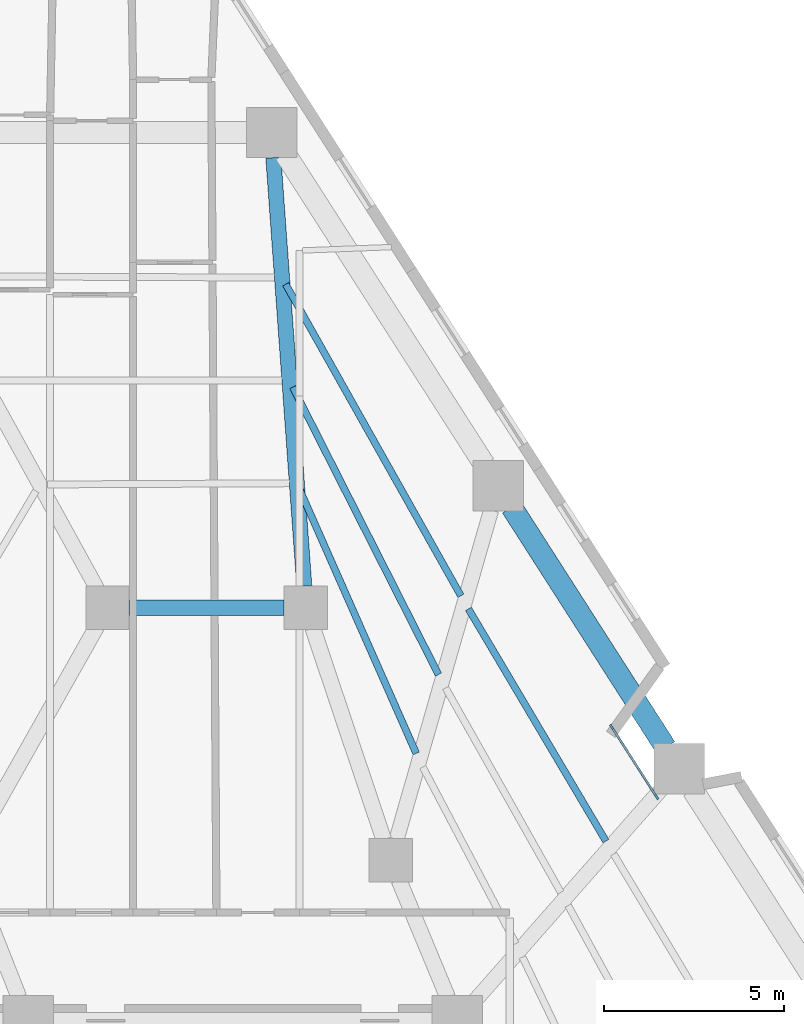
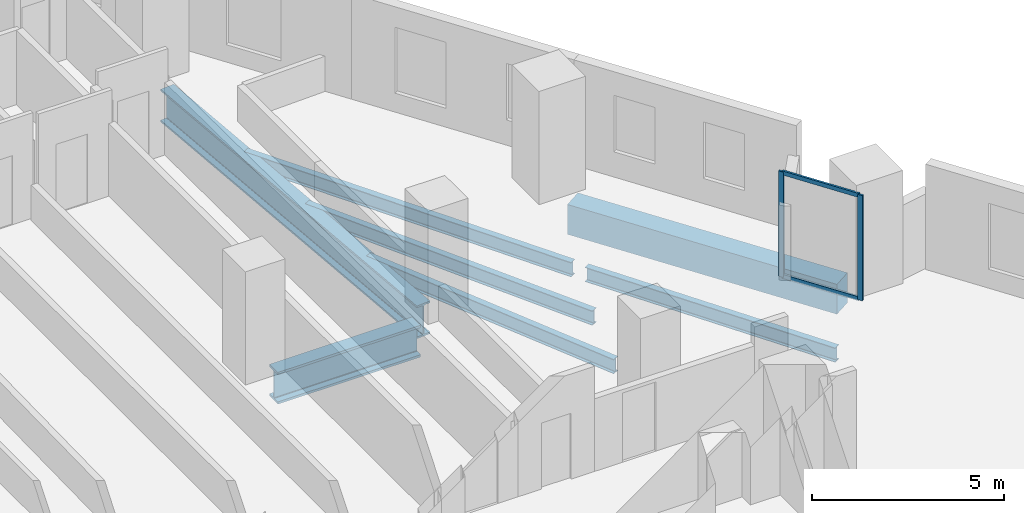
# One storey, part 5 of 13: 7 beams, 4 members, 1 element without a shape of its own.
"""IFC4 building model written with IfcOpenShell, lengths in metres."""

from ifc_helpers import new_model, si_unit, direction, frame, origin, origin_2d, place, context, subcontext, project, spatial, rectangle, i_section, extrude, material, layer, layer_set, material_profile, profile_set, type_object, element, aggregate, save


model = new_model("IFC4")

# Units and contexts
model_context = context("Model", 3, precision=1e-05, world=origin(), true_north=direction((0.0, 1.0)))
body_context = subcontext(model_context, "Body", "Model", "MODEL_VIEW")
ifc_project = project(units=[si_unit("LENGTHUNIT", "METRE"), si_unit("AREAUNIT", "SQUARE_METRE"), si_unit("VOLUMEUNIT", "CUBIC_METRE"), si_unit("PLANEANGLEUNIT", "RADIAN"), si_unit("MASSUNIT", "GRAM", prefix="KILO")], contexts=[model_context])

# Site, building, storey
site_placement = place(None, origin())
site = spatial("IfcSite", under=ifc_project, at=site_placement, CompositionType="ELEMENT")
building_placement = place(site_placement, origin())
building = spatial("IfcBuilding", under=site, at=building_placement, Name="Almagre Mirador Tower", CompositionType="ELEMENT")
storey_placement = place(building_placement, frame((0.0, 0.0, 49.800048828125)))
storey = spatial("IfcBuildingStorey", under=building, at=storey_placement, Name="L11", CompositionType="ELEMENT", Elevation=49.800048828125)

# Beams
ifc_material_1 = material(Name="Steel ASTM A992 Grade 50", Category="steel")
ifc_material_profile_1 = material_profile(ifc_material_1, i_section(OverallWidth=0.19091796875, OverallDepth=0.4599609375, WebThickness=0.010009765625, FlangeThickness=0.01611328125, FilletRadius=0.01611328125, at=origin_2d()), Name="W18X55")
ifc_profile_set_1 = profile_set([ifc_material_profile_1], Name="Steel ASTM A992 Grade 50")
beam_type_1 = type_object("IfcBeamType", Name="BM-JST-W18X55", PredefinedType="JOIST", material=ifc_profile_set_1)
beam_1_placement = place(storey_placement, frame((51.169189453125, 19.72705078125, -0.47998046875), z_axis=(-0.509385502228, 0.860538441977, 0.0), x_axis=(-0.860538441977, -0.509385502228, 0.0)))
element("IfcBeam", 1, at=beam_1_placement, inside=storey, type_object=beam_type_1, Name="L11 secondary floor joist PC06-PC07.1", PredefinedType="JOIST", context=body_context, shape_type="SweptSolid", body=[
    extrude(i_section(OverallWidth=0.19091796875, OverallDepth=0.4599609375, WebThickness=0.010009765625, FlangeThickness=0.01611328125, FilletRadius=0.01611328125, at=origin_2d()), origin(), (0.0, 0.0, 1.0), 7.481689453125),
])
beam_2_placement = place(storey_placement, frame((47.148681640625, 26.5283203125, -0.47998046875), z_axis=(-0.490112691696, 0.871659078676, 0.0), x_axis=(-0.871659078676, -0.490112691696, 0.0)))
element("IfcBeam", 2, at=beam_2_placement, inside=storey, type_object=beam_type_1, Name="L11 secondary floor joist PC07-PC08.1", PredefinedType="JOIST", context=body_context, shape_type="SweptSolid", body=[
    extrude(i_section(OverallWidth=0.19091796875, OverallDepth=0.4599609375, WebThickness=0.010009765625, FlangeThickness=0.01611328125, FilletRadius=0.01611328125, at=origin_2d()), origin(), (0.0, 0.0, 1.0), 9.910400390625),
])
beam_3_placement = place(storey_placement, frame((46.528076171875, 24.343017578125, -0.47998046875), z_axis=(-0.45203843344, 0.89199846115, 0.0), x_axis=(-0.89199846115, -0.45203843344, 0.0)))
element("IfcBeam", 3, at=beam_3_placement, inside=storey, type_object=beam_type_1, Name="L11 secondary floor joist PC07-PC08.2", PredefinedType="JOIST", context=body_context, shape_type="SweptSolid", body=[
    extrude(i_section(OverallWidth=0.19091796875, OverallDepth=0.4599609375, WebThickness=0.010009765625, FlangeThickness=0.01611328125, FilletRadius=0.01611328125, at=origin_2d()), origin(), (0.0, 0.0, 1.0), 8.93408203125),
])
beam_4_placement = place(storey_placement, frame((45.90966796875, 22.157958984375, -0.47998046875), z_axis=(-0.404053712835, 0.914735260687, 0.0), x_axis=(-0.914735260687, -0.404053712835, 0.0)))
element("IfcBeam", 4, at=beam_4_placement, inside=storey, type_object=beam_type_1, Name="L11 secondary floor joist PC07-PC08.3", PredefinedType="JOIST", context=body_context, shape_type="SweptSolid", body=[
    extrude(i_section(OverallWidth=0.19091796875, OverallDepth=0.4599609375, WebThickness=0.010009765625, FlangeThickness=0.01611328125, FilletRadius=0.01611328125, at=origin_2d()), origin(), (0.0, 0.0, 1.0), 7.9794921875),
])
ifc_material_2 = material(Name="Precast concrete C50/60", Category="concrete")
ifc_material_profile_2 = material_profile(ifc_material_2, rectangle(XDim=0.60009765625, YDim=0.949951171875, at=origin_2d()), Name="RC600X950")
ifc_profile_set_2 = profile_set([ifc_material_profile_2], Name="Precast concrete C50/60")
beam_type_2 = type_object("IfcBeamType", Name="BM-SPN-RC600X950", PredefinedType="SPANDREL", material=ifc_profile_set_2)
beam_5_placement = place(storey_placement, frame((52.82421875, 22.322509765625, -0.72509765625), z_axis=(-0.539540486584, 0.841959656597, 0.0), x_axis=(-0.841959656597, -0.539540486584, 0.0)))
element("IfcBeam", 5, at=beam_5_placement, inside=storey, type_object=beam_type_2, Name="L11 perimeter spandrel beam PC06-PC07", PredefinedType="SPANDREL", context=body_context, shape_type="SweptSolid", body=[
    extrude(rectangle(XDim=0.60009765625, YDim=0.949951171875, at=origin_2d()), origin(), (0.0, 0.0, 1.0), 7.911376953125),
])
ifc_material_3 = material(Name="Steel ASTM A992 Grade 50", Category="steel")
ifc_material_profile_3 = material_profile(ifc_material_3, i_section(OverallWidth=0.43701171875, OverallDepth=1.010986328125, WebThickness=0.041015625, FlangeThickness=0.073974609375, FilletRadius=0.028076171875, at=origin_2d()), Name="W36X529")
ifc_profile_set_3 = profile_set([ifc_material_profile_3], Name="Steel ASTM A992 Grade 50")
beam_type_3 = type_object("IfcBeamType", Name="BM-STL-W36X529", PredefinedType="BEAM", material=ifc_profile_set_3)
beam_6_placement = place(storey_placement, frame((37.949951171875, 26.199951171875, -0.755615234375), z_axis=(1.0, 0.0, 0.0), x_axis=(0.0, 1.0, 0.0)))
element("IfcBeam", 6, at=beam_6_placement, inside=storey, type_object=beam_type_3, Name="L11 core tie girder MC7-MC6", PredefinedType="BEAM", context=body_context, shape_type="SweptSolid", body=[
    extrude(i_section(OverallWidth=0.43701171875, OverallDepth=1.010986328125, WebThickness=0.041015625, FlangeThickness=0.073974609375, FilletRadius=0.028076171875, at=origin_2d()), origin(), (0.0, 0.0, 1.0), 4.300048828125),
])
ifc_material_4 = material(Name="Steel ASTM A913 Grade 65", Category="steel")
ifc_material_profile_4 = material_profile(ifc_material_4, i_section(OverallWidth=0.4189453125, OverallDepth=1.041015625, WebThickness=0.031005859375, FlangeThickness=0.055908203125, FilletRadius=0.030029296875, at=origin_2d()), Name="W40X397")
ifc_profile_set_4 = profile_set([ifc_material_profile_4], Name="Steel ASTM A913 Grade 65")
beam_type_4 = type_object("IfcBeamType", Name="BM-STL-W40X397", PredefinedType="BEAM", material=ifc_profile_set_4)
beam_7_placement = place(storey_placement, frame((41.948486328125, 38.6748046875, -0.7705078125), z_axis=(0.072089216544, -0.997398187715, 0.0), x_axis=(0.997398187715, 0.072089216544, 0.0)))
element("IfcBeam", 7, at=beam_7_placement, inside=storey, type_object=beam_type_4, Name="L11 radial floor girder PC08-MC6", PredefinedType="BEAM", context=body_context, shape_type="SweptSolid", body=[
    extrude(i_section(OverallWidth=0.4189453125, OverallDepth=1.041015625, WebThickness=0.031005859375, FlangeThickness=0.055908203125, FilletRadius=0.030029296875, at=origin_2d()), origin(), (0.0, 0.0, 1.0), 11.907470703125),
])

# Curtain wall, members
ifc_material_5 = material(Name="Black anodized aluminium", Category="aluminium")
ifc_layer = layer(ifc_material_5, 0.169921875)
ifc_layer_set = layer_set([ifc_layer], Name="Black anodized aluminium")
curtain_wall_type = type_object("IfcCurtainWallType", Name="CW-CRS-SYS", PredefinedType="NOTDEFINED", material=ifc_layer_set)
curtain_wall_placement = place(storey_placement, origin())
curtain_wall = element("IfcCurtainWall", 8, at=curtain_wall_placement, inside=storey, type_object=curtain_wall_type, Name="L11 vertical crease curtain wall 03", PredefinedType="NOTDEFINED")
ifc_material_6 = material(Name="Black anodized aluminium", Category="aluminium")
ifc_material_profile_5 = material_profile(ifc_material_6, rectangle(XDim=0.06005859375, YDim=0.14990234375, at=origin_2d()), Name="CWM60X150")
ifc_profile_set_5 = profile_set([ifc_material_profile_5], Name="Black anodized aluminium")
member_type_1 = type_object("IfcMemberType", Name="MBR-CWM60X150", PredefinedType="MULLION", material=ifc_profile_set_5)
member_1_placement = place(storey_placement, frame((51.32958984375, 22.892578125, 0.0), z_axis=(0.0, 0.0, 1.0), x_axis=(0.841762109764, 0.539848636718, 0.0)))
member_1 = element("IfcMember", 9, at=member_1_placement, type_object=member_type_1, Name="CW-4 mullion 1", PredefinedType="MULLION", context=body_context, shape_type="SweptSolid", body=[
    extrude(rectangle(XDim=0.06005859375, YDim=0.14990234375, at=origin_2d()), origin(), (0.0, 0.0, 1.0), 3.349853515625),
])
member_2_placement = place(storey_placement, frame((52.576416015625, 20.948486328125, 0.0), z_axis=(0.0, 0.0, 1.0), x_axis=(0.841762109764, 0.539848636718, 0.0)))
member_2 = element("IfcMember", 10, at=member_2_placement, type_object=member_type_1, Name="CW-4 mullion 2", PredefinedType="MULLION", context=body_context, shape_type="SweptSolid", body=[
    extrude(rectangle(XDim=0.06005859375, YDim=0.14990234375, at=origin_2d()), origin(), (0.0, 0.0, 1.0), 3.349853515625),
])
ifc_material_7 = material(Name="Black anodized aluminium", Category="aluminium")
ifc_material_profile_6 = material_profile(ifc_material_7, rectangle(XDim=0.06005859375, YDim=0.1298828125, at=origin_2d()), Name="CWT60X130")
ifc_profile_set_6 = profile_set([ifc_material_profile_6], Name="Black anodized aluminium")
member_type_2 = type_object("IfcMemberType", Name="MBR-CWT60X130", PredefinedType="USERDEFINED", material=ifc_profile_set_6)
member_3_placement = place(storey_placement, frame((51.345703125, 22.8671875, 0.030029296875), z_axis=(0.539912624717, -0.841721068805, 0.0), x_axis=(0.841721068805, 0.539912624717, 0.0)))
member_3 = element("IfcMember", 11, at=member_3_placement, type_object=member_type_2, Name="CW-4 transom 1.1", ObjectType="TRANSOM", PredefinedType="USERDEFINED", context=body_context, shape_type="SweptSolid", body=[
    extrude(rectangle(XDim=0.06005859375, YDim=0.1298828125, at=origin_2d()), origin(), (0.0, 0.0, 1.0), 2.24951171875),
])
member_4_placement = place(storey_placement, frame((51.345703125, 22.8671875, 3.320068359375), z_axis=(0.539912624717, -0.841721068805, 0.0), x_axis=(0.841721068805, 0.539912624717, 0.0)))
member_4 = element("IfcMember", 12, at=member_4_placement, type_object=member_type_2, Name="CW-4 transom 1.2", ObjectType="TRANSOM", PredefinedType="USERDEFINED", context=body_context, shape_type="SweptSolid", body=[
    extrude(rectangle(XDim=0.06005859375, YDim=0.1298828125, at=origin_2d()), origin(), (0.0, 0.0, 1.0), 2.24951171875),
])
aggregate(curtain_wall, [member_1, member_2, member_3, member_4])

save(model, "model.ifc")
